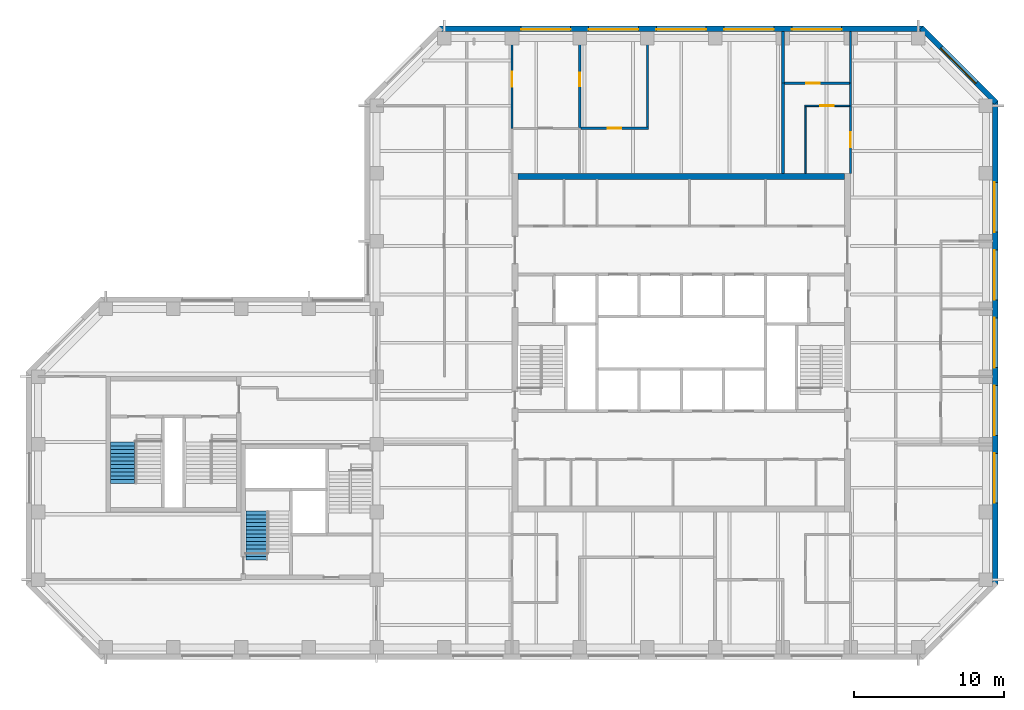
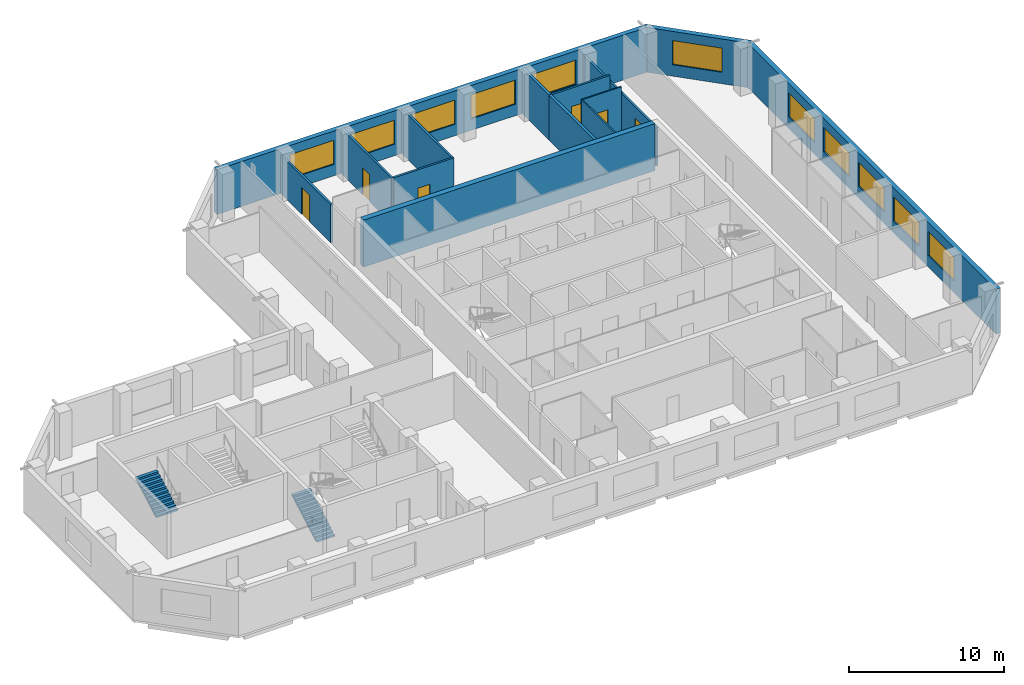
# One storey, part 7 of 9: 16 walls, 11 windows, 6 doors, 2 stair flights, 17 openings, 2 elements without a shape of their own.
"""IFC4 building model written with IfcOpenShell, lengths in metres."""

from ifc_helpers import new_model, si_unit, direction, frame, frame_2d, origin, place, context, subcontext, project, spatial, polyline, rectangle, outline, extrude, material, layer, layer_set, constituent, constituent_set, type_object, element, fill, aggregate, save


model = new_model("IFC4")

# Units and contexts
model_context = context("Model", 3, precision=1e-05, world=origin(), true_north=direction((0.0, 1.0)))
body_context = subcontext(model_context, "Body", "Model", "MODEL_VIEW")
ifc_project = project(units=[si_unit("LENGTHUNIT", "METRE"), si_unit("AREAUNIT", "SQUARE_METRE"), si_unit("VOLUMEUNIT", "CUBIC_METRE"), si_unit("PLANEANGLEUNIT", "RADIAN"), si_unit("MASSUNIT", "GRAM", prefix="KILO")], contexts=[model_context])

# Site, building, storey
site_placement = place(None, origin())
site = spatial("IfcSite", under=ifc_project, at=site_placement, CompositionType="ELEMENT")
building_placement = place(site_placement, origin())
building = spatial("IfcBuilding", under=site, at=building_placement, Name="Quoin Convention Tower", CompositionType="ELEMENT")
storey_placement = place(building_placement, frame((0.0, 0.0, 215.60009765625)))
storey = spatial("IfcBuildingStorey", under=building, at=storey_placement, Name="L56", CompositionType="ELEMENT", Elevation=215.60009765625)

# Wall, opening, door
ifc_material_1 = material(Name="Plasterboard")
ifc_layer_1 = layer(ifc_material_1, 0.012451171875, Name="Finish")
ifc_material_2 = material(Name="Steel stud framing", Category="steel")
ifc_layer_2 = layer(ifc_material_2, 0.125, Name="Structure")
ifc_layer_3 = layer(ifc_material_1, 0.012451171875, Name="Finish")
ifc_layer_set_1 = layer_set([ifc_layer_1, ifc_layer_2, ifc_layer_3], Name="Steel stud framing")
wall_type_1 = type_object("IfcWallType", Name="Acoustic partition 150", PredefinedType="PARTITIONING", material=ifc_layer_set_1)
wall_1_placement = place(storey_placement, frame((49.574951171875, 75.0, 0.0), z_axis=(0.0, 0.0, 1.0), x_axis=(1.0, 0.0, 0.0)))
wall_1 = element("IfcWall", 1, at=wall_1_placement, inside=storey, type_object=wall_type_1, Name="pw-L56-022", PredefinedType="PARTITIONING", context=body_context, shape_type="SweptSolid", body=[
    extrude(rectangle(XDim=4.5, YDim=0.14990234375, at=frame_2d((2.25, 0.0))), origin(), (0.0, 0.0, 1.0), 3.5498046875),
])
opening_1_placement = place(wall_1_placement, frame((1.800048828125, 0.0, 0.0)))
opening_1 = element("IfcOpeningElement", 2, at=opening_1_placement, cuts=wall_1, Name="Opening DOH9-06", PredefinedType="OPENING", context=body_context, shape_type="SweptSolid", body=[
    extrude(rectangle(XDim=0.89990234375, YDim=2.10009765625, at=frame_2d((0.449951171875, 1.050048828125))), frame((0.0, 0.0849609375, 0.0), z_axis=(0.0, -1.0, 0.0), x_axis=(1.0, 0.0, 0.0)), (0.0, 0.0, 1.0), 0.169921875),
])
ifc_material_3 = material(Name="Steel door leaf", Category="steel")
door_type_1 = type_object("IfcDoorType", Name="Office door 900 x 2100", OperationType="SINGLE_SWING_RIGHT", PredefinedType="DOOR", material=ifc_material_3)
door_1_placement = place(opening_1_placement, frame((0.89990234375, 0.0, 0.0), z_axis=(0.0, 0.0, 1.0), x_axis=(-1.0, 0.0, 0.0)))
door_1 = element("IfcDoor", 3, at=door_1_placement, inside=storey, type_object=door_type_1, Name="dr-L56-16", OperationType="SINGLE_SWING_LEFT", OverallHeight=2.10009765625, OverallWidth=0.89990234375, PredefinedType="DOOR", context=body_context, shape_type="SweptSolid", body=[
    extrude(rectangle(XDim=0.89990234375, YDim=2.10009765625, at=frame_2d((0.449951171875, 1.050048828125))), frame((0.0, 0.02490234375, 0.0), z_axis=(0.0, -1.0, 0.0), x_axis=(1.0, 0.0, 0.0)), (0.0, 0.0, 1.0), 0.050048828125),
])
fill(opening_1, door_1)

wall_2_placement = place(storey_placement, frame((63.10009765625, 78.0, 0.0), z_axis=(0.0, 0.0, 1.0), x_axis=(1.0, 0.0, 0.0)))
wall_2 = element("IfcWall", 4, at=wall_2_placement, inside=storey, type_object=wall_type_1, Name="pw-L56-024", PredefinedType="PARTITIONING", context=body_context, shape_type="SweptSolid", body=[
    extrude(rectangle(XDim=4.324951171875, YDim=0.14990234375, at=frame_2d((2.16259765625, 0.0))), origin(), (0.0, 0.0, 1.0), 3.5498046875),
])
opening_2_placement = place(wall_2_placement, frame((1.449951171875, 0.0, 0.0)))
opening_2 = element("IfcOpeningElement", 5, at=opening_2_placement, cuts=wall_2, Name="Opening DOH9-08", PredefinedType="OPENING", context=body_context, shape_type="SweptSolid", body=[
    extrude(rectangle(XDim=0.89990234375, YDim=2.10009765625, at=frame_2d((0.449951171875, 1.050048828125))), frame((0.0, 0.0849609375, 0.0), z_axis=(0.0, -1.0, 0.0), x_axis=(1.0, 0.0, 0.0)), (0.0, 0.0, 1.0), 0.169921875),
])
door_2_placement = place(opening_2_placement, origin())
door_2 = element("IfcDoor", 6, at=door_2_placement, inside=storey, type_object=door_type_1, Name="dr-L56-19", OperationType="SINGLE_SWING_LEFT", OverallHeight=2.10009765625, OverallWidth=0.89990234375, PredefinedType="DOOR", context=body_context, shape_type="SweptSolid", body=[
    extrude(rectangle(XDim=0.89990234375, YDim=2.10009765625, at=frame_2d((0.449951171875, 1.050048828125))), frame((0.0, 0.02490234375, 0.0), z_axis=(0.0, -1.0, 0.0), x_axis=(1.0, 0.0, 0.0)), (0.0, 0.0, 1.0), 0.050048828125),
])
fill(opening_2, door_2)

wall_3_placement = place(storey_placement, frame((49.5, 75.0, 0.0), z_axis=(0.0, 0.0, 1.0), x_axis=(0.0, 1.0, 0.0)))
wall_3 = element("IfcWall", 7, at=wall_3_placement, inside=storey, type_object=wall_type_1, Name="pw-L56-061", PredefinedType="PARTITIONING", context=body_context, shape_type="SweptSolid", body=[
    extrude(rectangle(XDim=6.449951171875, YDim=0.14990234375, at=frame_2d((3.22509765625, 0.0))), origin(), (0.0, 0.0, 1.0), 3.5498046875),
])
opening_3_placement = place(wall_3_placement, frame((2.800048828125, 0.0, 0.0)))
opening_3 = element("IfcOpeningElement", 8, at=opening_3_placement, cuts=wall_3, Name="Opening DOH9-21", PredefinedType="OPENING", context=body_context, shape_type="SweptSolid", body=[
    extrude(rectangle(XDim=0.89990234375, YDim=2.10009765625, at=frame_2d((0.449951171875, 1.050048828125))), frame((0.0, 0.0849609375, 0.0), z_axis=(0.0, -1.0, 0.0), x_axis=(1.0, 0.0, 0.0)), (0.0, 0.0, 1.0), 0.169921875),
])
door_3_placement = place(opening_3_placement, frame((0.89990234375, 0.0, 0.0), z_axis=(0.0, 0.0, 1.0), x_axis=(-1.0, 0.0, 0.0)))
door_3 = element("IfcDoor", 9, at=door_3_placement, inside=storey, type_object=door_type_1, Name="dr-L56-14", OperationType="SINGLE_SWING_LEFT", OverallHeight=2.10009765625, OverallWidth=0.89990234375, PredefinedType="DOOR", context=body_context, shape_type="SweptSolid", body=[
    extrude(rectangle(XDim=0.89990234375, YDim=2.10009765625, at=frame_2d((0.449951171875, 1.050048828125))), frame((0.0, 0.02490234375, 0.0), z_axis=(0.0, -1.0, 0.0), x_axis=(1.0, 0.0, 0.0)), (0.0, 0.0, 1.0), 0.050048828125),
])
fill(opening_3, door_3)

# Wall
wall_4_placement = place(storey_placement, frame((54.0, 75.074951171875, 0.0), z_axis=(0.0, 0.0, 1.0), x_axis=(0.0, 1.0, 0.0)))
element("IfcWall", 10, at=wall_4_placement, inside=storey, type_object=wall_type_1, Name="pw-L56-062", PredefinedType="PARTITIONING", context=body_context, shape_type="SweptSolid", body=[
    extrude(rectangle(XDim=6.375, YDim=0.14990234375, at=frame_2d((3.1875, 0.0))), origin(), (0.0, 0.0, 1.0), 3.5498046875),
])

# Wall, openings, windows
ifc_material_4 = material(Name="Brick masonry", Category="masonry")
ifc_layer_4 = layer(ifc_material_4, 0.35009765625)
ifc_layer_set_2 = layer_set([ifc_layer_4], Name="Brick masonry")
wall_type_2 = type_object("IfcWallType", Name="Brick facade wall", PredefinedType="STANDARD", material=ifc_layer_set_2)
wall_5_placement = place(storey_placement, frame((77.125, 44.668701171875, 0.0), z_axis=(0.0, 0.0, 1.0), x_axis=(0.0, 1.0, 0.0)))
wall_5 = element("IfcWall", 11, at=wall_5_placement, inside=storey, type_object=wall_type_2, Name="fw-L56-76500_45000", PredefinedType="STANDARD", context=body_context, shape_type="SweptSolid", body=[
    extrude(rectangle(XDim=32.16259765625, YDim=0.35009765625, at=frame_2d((16.081298828125, 0.0))), origin(), (0.0, 0.0, 1.0), 3.52490234375),
])
opening_4_placement = place(wall_5_placement, frame((5.431396484375, 0.0, 0.89990234375)))
opening_4 = element("IfcOpeningElement", 12, at=opening_4_placement, cuts=wall_5, Name="Opening W-02", PredefinedType="OPENING", context=body_context, shape_type="SweptSolid", body=[
    extrude(rectangle(XDim=3.300048828125, YDim=1.89990234375, at=frame_2d((1.64990234375, 0.949951171875))), frame((0.0, 0.18505859375, 0.0), z_axis=(0.0, -1.0, 0.0), x_axis=(1.0, 0.0, 0.0)), (0.0, 0.0, 1.0), 0.3701171875),
])
opening_5_placement = place(wall_5_placement, frame((9.931396484375, 0.0, 0.89990234375)))
opening_5 = element("IfcOpeningElement", 13, at=opening_5_placement, cuts=wall_5, Name="Opening W-02", PredefinedType="OPENING", context=body_context, shape_type="SweptSolid", body=[
    extrude(rectangle(XDim=3.300048828125, YDim=1.89990234375, at=frame_2d((1.64990234375, 0.949951171875))), frame((0.0, 0.18505859375, 0.0), z_axis=(0.0, -1.0, 0.0), x_axis=(1.0, 0.0, 0.0)), (0.0, 0.0, 1.0), 0.3701171875),
])
opening_6_placement = place(wall_5_placement, frame((14.431396484375, 0.0, 0.89990234375)))
opening_6 = element("IfcOpeningElement", 14, at=opening_6_placement, cuts=wall_5, Name="Opening W-02", PredefinedType="OPENING", context=body_context, shape_type="SweptSolid", body=[
    extrude(rectangle(XDim=3.300048828125, YDim=1.89990234375, at=frame_2d((1.64990234375, 0.949951171875))), frame((0.0, 0.18505859375, 0.0), z_axis=(0.0, -1.0, 0.0), x_axis=(1.0, 0.0, 0.0)), (0.0, 0.0, 1.0), 0.3701171875),
])
opening_7_placement = place(wall_5_placement, frame((18.931396484375, 0.0, 0.89990234375)))
opening_7 = element("IfcOpeningElement", 15, at=opening_7_placement, cuts=wall_5, Name="Opening W-02", PredefinedType="OPENING", context=body_context, shape_type="SweptSolid", body=[
    extrude(rectangle(XDim=3.300048828125, YDim=1.89990234375, at=frame_2d((1.64990234375, 0.949951171875))), frame((0.0, 0.18505859375, 0.0), z_axis=(0.0, -1.0, 0.0), x_axis=(1.0, 0.0, 0.0)), (0.0, 0.0, 1.0), 0.3701171875),
])
opening_8_placement = place(wall_5_placement, frame((23.431396484375, 0.0, 0.89990234375)))
opening_8 = element("IfcOpeningElement", 16, at=opening_8_placement, cuts=wall_5, Name="Opening W-02", PredefinedType="OPENING", context=body_context, shape_type="SweptSolid", body=[
    extrude(rectangle(XDim=3.300048828125, YDim=1.89990234375, at=frame_2d((1.64990234375, 0.949951171875))), frame((0.0, 0.18505859375, 0.0), z_axis=(0.0, -1.0, 0.0), x_axis=(1.0, 0.0, 0.0)), (0.0, 0.0, 1.0), 0.3701171875),
])
ifc_material_5 = material(Name="Aluminium", Category="aluminium")
ifc_constituent_1 = constituent(ifc_material_5, Name="Frame")
ifc_material_6 = material(Name="Insulated glass", Category="glass")
ifc_constituent_2 = constituent(ifc_material_6, Name="Glazing")
ifc_constituent_set = constituent_set(constituents=[ifc_constituent_1, ifc_constituent_2], Name="Aluminium")
window_type = type_object("IfcWindowType", Name="Office window", PartitioningType="DOUBLE_PANEL_VERTICAL", PredefinedType="WINDOW", material=ifc_constituent_set)
window_1_placement = place(opening_4_placement, origin())
window_1 = element("IfcWindow", 17, at=window_1_placement, inside=storey, type_object=window_type, Name="win-L56-77125_51750", OverallHeight=1.89990234375, OverallWidth=3.300048828125, PartitioningType="SINGLE_PANEL", PredefinedType="WINDOW", context=body_context, shape_type="SweptSolid", body=[
    extrude(rectangle(XDim=3.300048828125, YDim=1.89990234375, at=frame_2d((1.64990234375, 0.949951171875))), frame((0.0, 0.0849609375, 0.0), z_axis=(0.0, -1.0, 0.0), x_axis=(1.0, 0.0, 0.0)), (0.0, 0.0, 1.0), 0.06005859375),
])
fill(opening_4, window_1)
window_2_placement = place(opening_5_placement, origin())
window_2 = element("IfcWindow", 18, at=window_2_placement, inside=storey, type_object=window_type, Name="win-L56-77125_56250", OverallHeight=1.89990234375, OverallWidth=3.300048828125, PartitioningType="SINGLE_PANEL", PredefinedType="WINDOW", context=body_context, shape_type="SweptSolid", body=[
    extrude(rectangle(XDim=3.300048828125, YDim=1.89990234375, at=frame_2d((1.64990234375, 0.949951171875))), frame((0.0, 0.0849609375, 0.0), z_axis=(0.0, -1.0, 0.0), x_axis=(1.0, 0.0, 0.0)), (0.0, 0.0, 1.0), 0.06005859375),
])
fill(opening_5, window_2)
window_3_placement = place(opening_6_placement, origin())
window_3 = element("IfcWindow", 19, at=window_3_placement, inside=storey, type_object=window_type, Name="win-L56-77125_60750", OverallHeight=1.89990234375, OverallWidth=3.300048828125, PartitioningType="SINGLE_PANEL", PredefinedType="WINDOW", context=body_context, shape_type="SweptSolid", body=[
    extrude(rectangle(XDim=3.300048828125, YDim=1.89990234375, at=frame_2d((1.64990234375, 0.949951171875))), frame((0.0, 0.0849609375, 0.0), z_axis=(0.0, -1.0, 0.0), x_axis=(1.0, 0.0, 0.0)), (0.0, 0.0, 1.0), 0.06005859375),
])
fill(opening_6, window_3)
window_4_placement = place(opening_7_placement, origin())
window_4 = element("IfcWindow", 20, at=window_4_placement, inside=storey, type_object=window_type, Name="win-L56-77125_65250", OverallHeight=1.89990234375, OverallWidth=3.300048828125, PartitioningType="SINGLE_PANEL", PredefinedType="WINDOW", context=body_context, shape_type="SweptSolid", body=[
    extrude(rectangle(XDim=3.300048828125, YDim=1.89990234375, at=frame_2d((1.64990234375, 0.949951171875))), frame((0.0, 0.0849609375, 0.0), z_axis=(0.0, -1.0, 0.0), x_axis=(1.0, 0.0, 0.0)), (0.0, 0.0, 1.0), 0.06005859375),
])
fill(opening_7, window_4)
window_5_placement = place(opening_8_placement, origin())
window_5 = element("IfcWindow", 21, at=window_5_placement, inside=storey, type_object=window_type, Name="win-L56-77125_69750", OverallHeight=1.89990234375, OverallWidth=3.300048828125, PartitioningType="SINGLE_PANEL", PredefinedType="WINDOW", context=body_context, shape_type="SweptSolid", body=[
    extrude(rectangle(XDim=3.300048828125, YDim=1.89990234375, at=frame_2d((1.64990234375, 0.949951171875))), frame((0.0, 0.0849609375, 0.0), z_axis=(0.0, -1.0, 0.0), x_axis=(1.0, 0.0, 0.0)), (0.0, 0.0, 1.0), 0.06005859375),
])
fill(opening_8, window_5)

# Wall, opening, window
wall_6_placement = place(storey_placement, frame((77.17626953125, 76.70751953125, 0.0), z_axis=(0.0, 0.0, 1.0), x_axis=(-0.707106781187, 0.707106781187, 0.0)))
wall_6 = element("IfcWall", 22, at=wall_6_placement, inside=storey, type_object=wall_type_2, Name="fw-L56-76500_76500", PredefinedType="STANDARD", context=body_context, shape_type="SweptSolid", body=[
    extrude(rectangle(XDim=7.02685546875, YDim=0.35009765625, at=frame_2d((3.513427734375, 0.0))), origin(), (0.0, 0.0, 1.0), 3.52490234375),
])
opening_9_placement = place(wall_6_placement, frame((1.86328125, 0.0, 0.89990234375)))
opening_9 = element("IfcOpeningElement", 23, at=opening_9_placement, cuts=wall_6, Name="Opening W-02", PredefinedType="OPENING", context=body_context, shape_type="SweptSolid", body=[
    extrude(rectangle(XDim=3.300048828125, YDim=1.89990234375, at=frame_2d((1.64990234375, 0.949951171875))), frame((0.0, 0.18505859375, 0.0), z_axis=(0.0, -1.0, 0.0), x_axis=(1.0, 0.0, 0.0)), (0.0, 0.0, 1.0), 0.3701171875),
])
window_6_placement = place(opening_9_placement, origin())
window_6 = element("IfcWindow", 24, at=window_6_placement, inside=storey, type_object=window_type, Name="win-L56-74692_79192", OverallHeight=1.89990234375, OverallWidth=3.300048828125, PartitioningType="SINGLE_PANEL", PredefinedType="WINDOW", context=body_context, shape_type="SweptSolid", body=[
    extrude(rectangle(XDim=3.300048828125, YDim=1.89990234375, at=frame_2d((1.64990234375, 0.949951171875))), frame((0.0, 0.0849609375, 0.0), z_axis=(0.0, -1.0, 0.0), x_axis=(1.0, 0.0, 0.0)), (0.0, 0.0, 1.0), 0.06005859375),
])
fill(opening_9, window_6)

# Wall, openings, windows
wall_7_placement = place(storey_placement, frame((72.331298828125, 81.625, 0.0), z_axis=(0.0, 0.0, 1.0), x_axis=(-1.0, 0.0, 0.0)))
wall_7 = element("IfcWall", 25, at=wall_7_placement, inside=storey, type_object=wall_type_2, Name="fw-L56-72000_81000", PredefinedType="STANDARD", context=body_context, shape_type="SweptSolid", body=[
    extrude(rectangle(XDim=32.16259765625, YDim=0.35009765625, at=frame_2d((16.081298828125, 0.0))), origin(), (0.0, 0.0, 1.0), 3.52490234375),
])
opening_10_placement = place(wall_7_placement, frame((5.431396484375, 0.0, 0.89990234375)))
opening_10 = element("IfcOpeningElement", 26, at=opening_10_placement, cuts=wall_7, Name="Opening W-02", PredefinedType="OPENING", context=body_context, shape_type="SweptSolid", body=[
    extrude(rectangle(XDim=3.300048828125, YDim=1.89990234375, at=frame_2d((1.64990234375, 0.949951171875))), frame((0.0, 0.18505859375, 0.0), z_axis=(0.0, -1.0, 0.0), x_axis=(1.0, 0.0, 0.0)), (0.0, 0.0, 1.0), 0.3701171875),
])
opening_11_placement = place(wall_7_placement, frame((9.931396484375, 0.0, 0.89990234375)))
opening_11 = element("IfcOpeningElement", 27, at=opening_11_placement, cuts=wall_7, Name="Opening W-02", PredefinedType="OPENING", context=body_context, shape_type="SweptSolid", body=[
    extrude(rectangle(XDim=3.300048828125, YDim=1.89990234375, at=frame_2d((1.64990234375, 0.949951171875))), frame((0.0, 0.18505859375, 0.0), z_axis=(0.0, -1.0, 0.0), x_axis=(1.0, 0.0, 0.0)), (0.0, 0.0, 1.0), 0.3701171875),
])
opening_12_placement = place(wall_7_placement, frame((14.431396484375, 0.0, 0.89990234375)))
opening_12 = element("IfcOpeningElement", 28, at=opening_12_placement, cuts=wall_7, Name="Opening W-02", PredefinedType="OPENING", context=body_context, shape_type="SweptSolid", body=[
    extrude(rectangle(XDim=3.300048828125, YDim=1.89990234375, at=frame_2d((1.64990234375, 0.949951171875))), frame((0.0, 0.18505859375, 0.0), z_axis=(0.0, -1.0, 0.0), x_axis=(1.0, 0.0, 0.0)), (0.0, 0.0, 1.0), 0.3701171875),
])
opening_13_placement = place(wall_7_placement, frame((18.931396484375, 0.0, 0.89990234375)))
opening_13 = element("IfcOpeningElement", 29, at=opening_13_placement, cuts=wall_7, Name="Opening W-02", PredefinedType="OPENING", context=body_context, shape_type="SweptSolid", body=[
    extrude(rectangle(XDim=3.300048828125, YDim=1.89990234375, at=frame_2d((1.64990234375, 0.949951171875))), frame((0.0, 0.18505859375, 0.0), z_axis=(0.0, -1.0, 0.0), x_axis=(1.0, 0.0, 0.0)), (0.0, 0.0, 1.0), 0.3701171875),
])
opening_14_placement = place(wall_7_placement, frame((23.431396484375, 0.0, 0.89990234375)))
opening_14 = element("IfcOpeningElement", 30, at=opening_14_placement, cuts=wall_7, Name="Opening W-02", PredefinedType="OPENING", context=body_context, shape_type="SweptSolid", body=[
    extrude(rectangle(XDim=3.300048828125, YDim=1.89990234375, at=frame_2d((1.64990234375, 0.949951171875))), frame((0.0, 0.18505859375, 0.0), z_axis=(0.0, -1.0, 0.0), x_axis=(1.0, 0.0, 0.0)), (0.0, 0.0, 1.0), 0.3701171875),
])
window_7_placement = place(opening_10_placement, origin())
window_7 = element("IfcWindow", 31, at=window_7_placement, inside=storey, type_object=window_type, Name="win-L56-65250_81625", OverallHeight=1.89990234375, OverallWidth=3.300048828125, PartitioningType="SINGLE_PANEL", PredefinedType="WINDOW", context=body_context, shape_type="SweptSolid", body=[
    extrude(rectangle(XDim=3.300048828125, YDim=1.89990234375, at=frame_2d((1.64990234375, 0.949951171875))), frame((0.0, 0.0849609375, 0.0), z_axis=(0.0, -1.0, 0.0), x_axis=(1.0, 0.0, 0.0)), (0.0, 0.0, 1.0), 0.06005859375),
])
fill(opening_10, window_7)
window_8_placement = place(opening_11_placement, origin())
window_8 = element("IfcWindow", 32, at=window_8_placement, inside=storey, type_object=window_type, Name="win-L56-60750_81625", OverallHeight=1.89990234375, OverallWidth=3.300048828125, PartitioningType="SINGLE_PANEL", PredefinedType="WINDOW", context=body_context, shape_type="SweptSolid", body=[
    extrude(rectangle(XDim=3.300048828125, YDim=1.89990234375, at=frame_2d((1.64990234375, 0.949951171875))), frame((0.0, 0.0849609375, 0.0), z_axis=(0.0, -1.0, 0.0), x_axis=(1.0, 0.0, 0.0)), (0.0, 0.0, 1.0), 0.06005859375),
])
fill(opening_11, window_8)
window_9_placement = place(opening_12_placement, origin())
window_9 = element("IfcWindow", 33, at=window_9_placement, inside=storey, type_object=window_type, Name="win-L56-56250_81625", OverallHeight=1.89990234375, OverallWidth=3.300048828125, PartitioningType="SINGLE_PANEL", PredefinedType="WINDOW", context=body_context, shape_type="SweptSolid", body=[
    extrude(rectangle(XDim=3.300048828125, YDim=1.89990234375, at=frame_2d((1.64990234375, 0.949951171875))), frame((0.0, 0.0849609375, 0.0), z_axis=(0.0, -1.0, 0.0), x_axis=(1.0, 0.0, 0.0)), (0.0, 0.0, 1.0), 0.06005859375),
])
fill(opening_12, window_9)
window_10_placement = place(opening_13_placement, origin())
window_10 = element("IfcWindow", 34, at=window_10_placement, inside=storey, type_object=window_type, Name="win-L56-51750_81625", OverallHeight=1.89990234375, OverallWidth=3.300048828125, PartitioningType="SINGLE_PANEL", PredefinedType="WINDOW", context=body_context, shape_type="SweptSolid", body=[
    extrude(rectangle(XDim=3.300048828125, YDim=1.89990234375, at=frame_2d((1.64990234375, 0.949951171875))), frame((0.0, 0.0849609375, 0.0), z_axis=(0.0, -1.0, 0.0), x_axis=(1.0, 0.0, 0.0)), (0.0, 0.0, 1.0), 0.06005859375),
])
fill(opening_13, window_10)
window_11_placement = place(opening_14_placement, origin())
window_11 = element("IfcWindow", 35, at=window_11_placement, inside=storey, type_object=window_type, Name="win-L56-47250_81625", OverallHeight=1.89990234375, OverallWidth=3.300048828125, PartitioningType="SINGLE_PANEL", PredefinedType="WINDOW", context=body_context, shape_type="SweptSolid", body=[
    extrude(rectangle(XDim=3.300048828125, YDim=1.89990234375, at=frame_2d((1.64990234375, 0.949951171875))), frame((0.0, 0.0849609375, 0.0), z_axis=(0.0, -1.0, 0.0), x_axis=(1.0, 0.0, 0.0)), (0.0, 0.0, 1.0), 0.06005859375),
])
fill(opening_14, window_11)

# Wall, opening, door
ifc_layer_5 = layer(ifc_material_1, 0.012451171875, Name="Finish")
ifc_layer_6 = layer(ifc_material_2, 0.125, Name="Structure")
ifc_layer_7 = layer(ifc_material_1, 0.012451171875, Name="Finish")
ifc_layer_set_3 = layer_set([ifc_layer_5, ifc_layer_6, ifc_layer_7], Name="Steel stud framing")
wall_type_3 = type_object("IfcWallType", Name="Corridor wall 150 under beam 528", PredefinedType="PARTITIONING", material=ifc_layer_set_3)
wall_8_placement = place(storey_placement, frame((67.5, 72.0, 0.0), z_axis=(0.0, 0.0, 1.0), x_axis=(0.0, 1.0, 0.0)))
wall_8 = element("IfcWall", 36, at=wall_8_placement, inside=storey, type_object=wall_type_3, Name="pw-L56-059", PredefinedType="PARTITIONING", context=body_context, shape_type="SweptSolid", body=[
    extrude(rectangle(XDim=4.5, YDim=0.14990234375, at=frame_2d((2.25, 0.0))), origin(), (0.0, 0.0, 1.0), 3.02197265625),
])
opening_15_placement = place(wall_8_placement, frame((1.75, 0.0, 0.0)))
opening_15 = element("IfcOpeningElement", 37, at=opening_15_placement, cuts=wall_8, Name="Opening DOH9-19", PredefinedType="OPENING", context=body_context, shape_type="SweptSolid", body=[
    extrude(rectangle(XDim=1.0, YDim=2.10009765625, at=frame_2d((0.5, 1.050048828125))), frame((0.0, 0.0849609375, 0.0), z_axis=(0.0, -1.0, 0.0), x_axis=(1.0, 0.0, 0.0)), (0.0, 0.0, 1.0), 0.169921875),
])
door_type_2 = type_object("IfcDoorType", Name="Tenancy entrance door 1000 x 2100", OperationType="DOUBLE_DOOR_SINGLE_SWING", PredefinedType="DOOR", material=ifc_material_3)
door_4_placement = place(opening_15_placement, frame((1.0, 0.0, 0.0), z_axis=(0.0, 0.0, 1.0), x_axis=(-1.0, 0.0, 0.0)))
door_4 = element("IfcDoor", 38, at=door_4_placement, inside=storey, type_object=door_type_2, Name="dr-L56-17", OperationType="DOUBLE_DOOR_SINGLE_SWING", OverallHeight=2.10009765625, OverallWidth=1.0, PredefinedType="DOOR", context=body_context, shape_type="SweptSolid", body=[
    extrude(rectangle(XDim=1.0, YDim=2.10009765625, at=frame_2d((0.5, 1.050048828125))), frame((0.0, 0.02490234375, 0.0), z_axis=(0.0, -1.0, 0.0), x_axis=(1.0, 0.0, 0.0)), (0.0, 0.0, 1.0), 0.050048828125),
])
fill(opening_15, door_4)

wall_9_placement = place(storey_placement, frame((45.0, 75.0, 0.0), z_axis=(0.0, 0.0, 1.0), x_axis=(0.0, 1.0, 0.0)))
wall_9 = element("IfcWall", 39, at=wall_9_placement, inside=storey, type_object=wall_type_3, Name="pw-L56-060", PredefinedType="PARTITIONING", context=body_context, shape_type="SweptSolid", body=[
    extrude(rectangle(XDim=6.449951171875, YDim=0.14990234375, at=frame_2d((3.22509765625, 0.0))), origin(), (0.0, 0.0, 1.0), 3.02197265625),
])
opening_16_placement = place(wall_9_placement, frame((2.75, 0.0, 0.0)))
opening_16 = element("IfcOpeningElement", 40, at=opening_16_placement, cuts=wall_9, Name="Opening DOH9-20", PredefinedType="OPENING", context=body_context, shape_type="SweptSolid", body=[
    extrude(rectangle(XDim=1.0, YDim=2.10009765625, at=frame_2d((0.5, 1.050048828125))), frame((0.0, 0.0849609375, 0.0), z_axis=(0.0, -1.0, 0.0), x_axis=(1.0, 0.0, 0.0)), (0.0, 0.0, 1.0), 0.169921875),
])
door_5_placement = place(opening_16_placement, origin())
door_5 = element("IfcDoor", 41, at=door_5_placement, inside=storey, type_object=door_type_2, Name="dr-L56-13", OperationType="DOUBLE_DOOR_SINGLE_SWING", OverallHeight=2.10009765625, OverallWidth=1.0, PredefinedType="DOOR", context=body_context, shape_type="SweptSolid", body=[
    extrude(rectangle(XDim=1.0, YDim=2.10009765625, at=frame_2d((0.5, 1.050048828125))), frame((0.0, 0.02490234375, 0.0), z_axis=(0.0, -1.0, 0.0), x_axis=(1.0, 0.0, 0.0)), (0.0, 0.0, 1.0), 0.050048828125),
])
fill(opening_16, door_5)

# Walls
wall_10_placement = place(storey_placement, frame((67.5, 76.5, 0.0), z_axis=(0.0, 0.0, 1.0), x_axis=(0.0, 1.0, 0.0)))
element("IfcWall", 42, at=wall_10_placement, inside=storey, type_object=wall_type_3, Name="pw-L56-063", PredefinedType="PARTITIONING", context=body_context, shape_type="SweptSolid", body=[
    extrude(rectangle(XDim=1.5, YDim=0.14990234375, at=frame_2d((0.75, 0.0))), origin(), (0.0, 0.0, 1.0), 3.02197265625),
])
wall_11_placement = place(storey_placement, frame((67.5, 78.0, 0.0), z_axis=(0.0, 0.0, 1.0), x_axis=(0.0, 1.0, 0.0)))
element("IfcWall", 43, at=wall_11_placement, inside=storey, type_object=wall_type_3, Name="pw-L56-065", PredefinedType="PARTITIONING", context=body_context, shape_type="SweptSolid", body=[
    extrude(rectangle(XDim=3.449951171875, YDim=0.14990234375, at=frame_2d((1.72509765625, 0.0))), origin(), (0.0, 0.0, 1.0), 3.02197265625),
])
ifc_material_7 = material(Name="Concrete C50", Category="concrete")
ifc_layer_8 = layer(ifc_material_7, 0.39990234375)
ifc_layer_set_4 = layer_set([ifc_layer_8], Name="Concrete C50")
wall_type_4 = type_object("IfcWallType", Name="RC CORE WALL 400 C50", PredefinedType="SHEAR", material=ifc_layer_set_4)
wall_12_placement = place(storey_placement, frame((45.39990234375, 71.800048828125, 0.0), z_axis=(0.0, 0.0, 1.0), x_axis=(1.0, 0.0, 0.0)))
element("IfcWall", 44, at=wall_12_placement, inside=storey, type_object=wall_type_4, Name="cwl-C1-L56-N", PredefinedType="SHEAR", context=body_context, shape_type="SweptSolid", body=[
    extrude(rectangle(XDim=21.7001953125, YDim=0.39990234375, at=frame_2d((10.85009765625, 0.0))), origin(), (0.0, 0.0, 1.0), 3.699951171875),
])

# Wall, opening, door
ifc_layer_9 = layer(ifc_material_1, 0.012451171875, Name="Finish")
ifc_layer_10 = layer(ifc_material_2, 0.074951171875, Name="Structure")
ifc_layer_11 = layer(ifc_material_1, 0.012451171875, Name="Finish")
ifc_layer_set_5 = layer_set([ifc_layer_9, ifc_layer_10, ifc_layer_11], Name="Steel stud framing")
wall_type_5 = type_object("IfcWallType", Name="Stud partition 100", PredefinedType="PARTITIONING", material=ifc_layer_set_5)
wall_13_placement = place(storey_placement, frame((64.449951171875, 76.5, 0.0), z_axis=(0.0, 0.0, 1.0), x_axis=(1.0, 0.0, 0.0)))
wall_13 = element("IfcWall", 45, at=wall_13_placement, inside=storey, type_object=wall_type_5, Name="pw-L56-023", PredefinedType="PARTITIONING", context=body_context, shape_type="SweptSolid", body=[
    extrude(rectangle(XDim=2.97509765625, YDim=0.10009765625, at=frame_2d((1.487548828125, 0.0))), origin(), (0.0, 0.0, 1.0), 3.5498046875),
])
opening_17_placement = place(wall_13_placement, frame((1.050048828125, 0.0, 0.0)))
opening_17 = element("IfcOpeningElement", 46, at=opening_17_placement, cuts=wall_13, Name="Opening DOH9-07", PredefinedType="OPENING", context=body_context, shape_type="SweptSolid", body=[
    extrude(rectangle(XDim=0.89990234375, YDim=2.10009765625, at=frame_2d((0.449951171875, 1.050048828125))), frame((0.0, 0.06005859375, 0.0), z_axis=(0.0, -1.0, 0.0), x_axis=(1.0, 0.0, 0.0)), (0.0, 0.0, 1.0), 0.1201171875),
])
door_6_placement = place(opening_17_placement, origin())
door_6 = element("IfcDoor", 47, at=door_6_placement, inside=storey, type_object=door_type_1, Name="dr-L56-18", OperationType="SINGLE_SWING_RIGHT", OverallHeight=2.10009765625, OverallWidth=0.89990234375, PredefinedType="DOOR", context=body_context, shape_type="SweptSolid", body=[
    extrude(rectangle(XDim=0.89990234375, YDim=2.10009765625, at=frame_2d((0.449951171875, 1.050048828125))), frame((0.0, 0.02490234375, 0.0), z_axis=(0.0, -1.0, 0.0), x_axis=(1.0, 0.0, 0.0)), (0.0, 0.0, 1.0), 0.050048828125),
])
fill(opening_17, door_6)

# Walls
wall_14_placement = place(storey_placement, frame((64.5, 72.0, 0.0), z_axis=(0.0, 0.0, 1.0), x_axis=(0.0, 1.0, 0.0)))
element("IfcWall", 48, at=wall_14_placement, inside=storey, type_object=wall_type_5, Name="pw-L56-058", PredefinedType="PARTITIONING", context=body_context, shape_type="SweptSolid", body=[
    extrude(rectangle(XDim=4.449951171875, YDim=0.10009765625, at=frame_2d((2.22509765625, 0.0))), origin(), (0.0, 0.0, 1.0), 3.5498046875),
])
ifc_layer_12 = layer(ifc_material_1, 0.012451171875, Name="Finish")
ifc_layer_13 = layer(ifc_material_2, 0.175048828125, Name="Structure")
ifc_layer_14 = layer(ifc_material_1, 0.012451171875, Name="Finish")
ifc_layer_set_6 = layer_set([ifc_layer_12, ifc_layer_13, ifc_layer_14], Name="Steel stud framing")
wall_type_6 = type_object("IfcWallType", Name="Tenancy demising wall 200", PredefinedType="PARTITIONING", material=ifc_layer_set_6)
wall_15_placement = place(storey_placement, frame((63.0, 72.0, 0.0), z_axis=(0.0, 0.0, 1.0), x_axis=(0.0, 1.0, 0.0)))
element("IfcWall", 49, at=wall_15_placement, inside=storey, type_object=wall_type_6, Name="pw-L56-057", PredefinedType="PARTITIONING", context=body_context, shape_type="SweptSolid", body=[
    extrude(rectangle(XDim=6.0, YDim=0.199951171875, at=frame_2d((3.0, 0.0))), origin(), (0.0, 0.0, 1.0), 3.5498046875),
])
wall_16_placement = place(storey_placement, frame((63.0, 78.0, 0.0), z_axis=(0.0, 0.0, 1.0), x_axis=(0.0, 1.0, 0.0)))
element("IfcWall", 50, at=wall_16_placement, inside=storey, type_object=wall_type_6, Name="pw-L56-064", PredefinedType="PARTITIONING", context=body_context, shape_type="SweptSolid", body=[
    extrude(rectangle(XDim=3.449951171875, YDim=0.199951171875, at=frame_2d((1.72509765625, 0.0))), origin(), (0.0, 0.0, 1.0), 3.5498046875),
])

# Stair, stair flight
ifc_material_8 = material(Name="Concrete C40", Category="concrete")
stair_type_1 = type_object("IfcStairType", Name="Exit stair two-flight 1350", PredefinedType="HALF_TURN_STAIR", material=ifc_material_8)
stair_1_placement = place(storey_placement, origin())
stair_1 = element("IfcStair", 51, at=stair_1_placement, inside=storey, type_object=stair_type_1, Name="SD3 L56", PredefinedType="HALF_TURN_STAIR")
stair_flight_type_1 = type_object("IfcStairFlightType", Name="Stair flight 1350", PredefinedType="STRAIGHT", material=ifc_material_8)
stair_flight_1_placement = place(storey_placement, frame((28.0, 46.300048828125, 0.0), z_axis=(0.0, 0.0, 1.0), x_axis=(0.0, 1.0, 0.0)))
stair_flight_1 = element("IfcStairFlight", 52, at=stair_flight_1_placement, type_object=stair_flight_type_1, Name="ST3 flight 1", NumberOfRisers=14, NumberOfTreads=13, PredefinedType="STRAIGHT", RiserHeight=0.142307692, TreadLength=0.25, context=body_context, shape_type="SweptSolid", body=[
    extrude(outline(polyline([(0.0, 0.0), (0.0, 0.142333984375), (0.25, 0.142333984375), (0.25, 0.28466796875), (0.5, 0.28466796875), (0.5, 0.427001953125), (0.75, 0.427001953125), (0.75, 0.5693359375), (1.0, 0.5693359375), (1.0, 0.71142578125), (1.25, 0.71142578125), (1.25, 0.853759765625), (1.5, 0.853759765625), (1.5, 0.99609375), (1.75, 0.99609375), (1.75, 1.138427734375), (2.0, 1.138427734375), (2.0, 1.28076171875), (2.25, 1.28076171875), (2.25, 1.423095703125), (2.5, 1.423095703125), (2.5, 1.5654296875), (2.75, 1.5654296875), (2.75, 1.707763671875), (3.0, 1.707763671875), (3.0, 1.85009765625), (3.25, 1.85009765625), (3.25, 1.9921875), (3.25, 1.711669921875), (0.242919921875, 0.0), (0.0, 0.0)])), frame((0.0, 0.675048828125, 0.0), z_axis=(0.0, -1.0, 0.0), x_axis=(1.0, 0.0, 0.0)), (0.0, 0.0, 1.0), 1.35009765625),
])
aggregate(stair_1, [stair_flight_1])

stair_type_2 = type_object("IfcStairType", Name="Exit stair two-flight 1600", PredefinedType="HALF_TURN_STAIR", material=ifc_material_8)
stair_2_placement = place(storey_placement, origin())
stair_2 = element("IfcStair", 53, at=stair_2_placement, inside=storey, type_object=stair_type_2, Name="SD11 L56", PredefinedType="HALF_TURN_STAIR")
stair_flight_type_2 = type_object("IfcStairFlightType", Name="Stair flight 1600", PredefinedType="STRAIGHT", material=ifc_material_8)
stair_flight_2_placement = place(storey_placement, frame((19.125, 51.39990234375, 1.9921875), z_axis=(0.0, 0.0, 1.0), x_axis=(0.0, 1.0, 0.0)))
stair_flight_2 = element("IfcStairFlight", 54, at=stair_flight_2_placement, type_object=stair_flight_type_2, Name="ST11 flight 2", NumberOfRisers=12, NumberOfTreads=11, PredefinedType="STRAIGHT", RiserHeight=0.142307692, TreadLength=0.25, context=body_context, shape_type="SweptSolid", body=[
    extrude(outline(polyline([(0.0, 0.0), (0.0, 0.142333984375), (0.25, 0.142333984375), (0.25, 0.28466796875), (0.5, 0.28466796875), (0.5, 0.427001953125), (0.75, 0.427001953125), (0.75, 0.5693359375), (1.0, 0.5693359375), (1.0, 0.71142578125), (1.25, 0.71142578125), (1.25, 0.853759765625), (1.5, 0.853759765625), (1.5, 0.99609375), (1.75, 0.99609375), (1.75, 1.138427734375), (2.0, 1.138427734375), (2.0, 1.28076171875), (2.25, 1.28076171875), (2.25, 1.423095703125), (2.5, 1.423095703125), (2.5, 1.5654296875), (2.75, 1.5654296875), (2.75, 1.707763671875), (2.75, 1.42724609375), (0.242919921875, 0.0), (0.0, 0.0)])), frame((0.0, 0.800048828125, 0.0), z_axis=(0.0, -1.0, 0.0), x_axis=(1.0, 0.0, 0.0)), (0.0, 0.0, 1.0), 1.60009765625),
])
aggregate(stair_2, [stair_flight_2])

save(model, "model.ifc")
